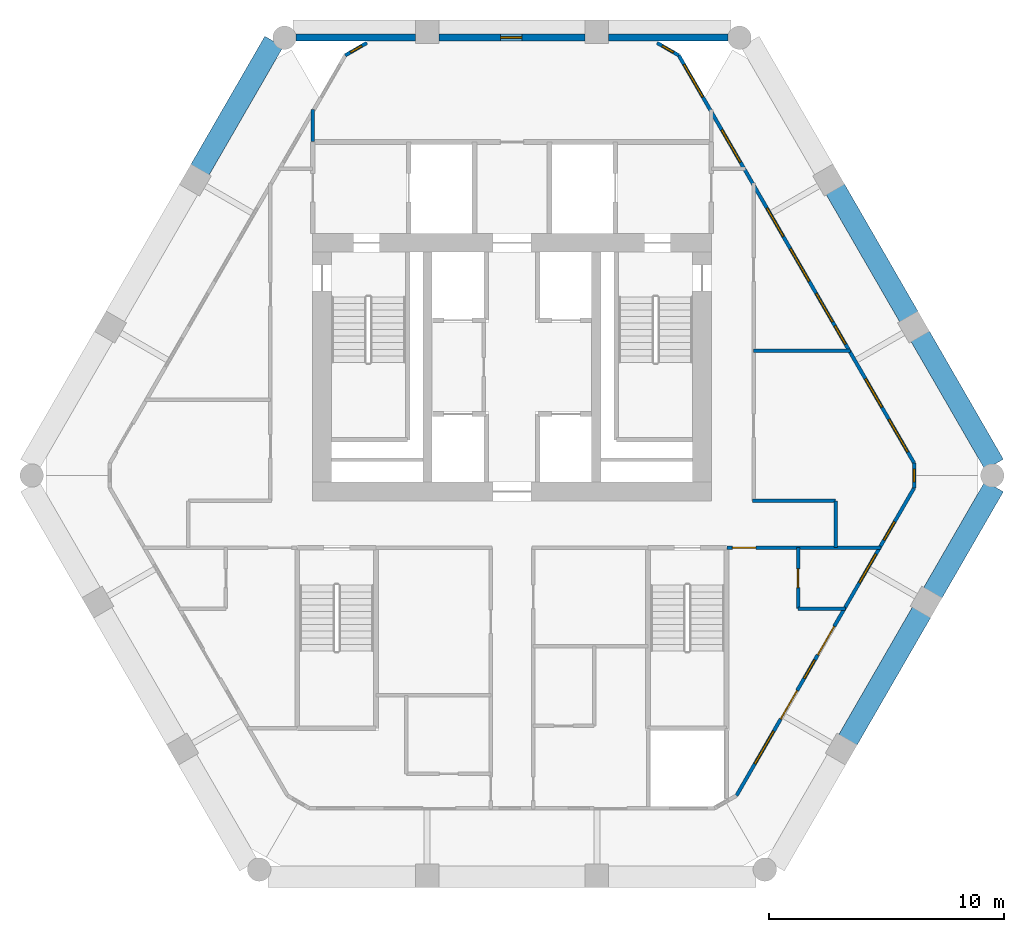
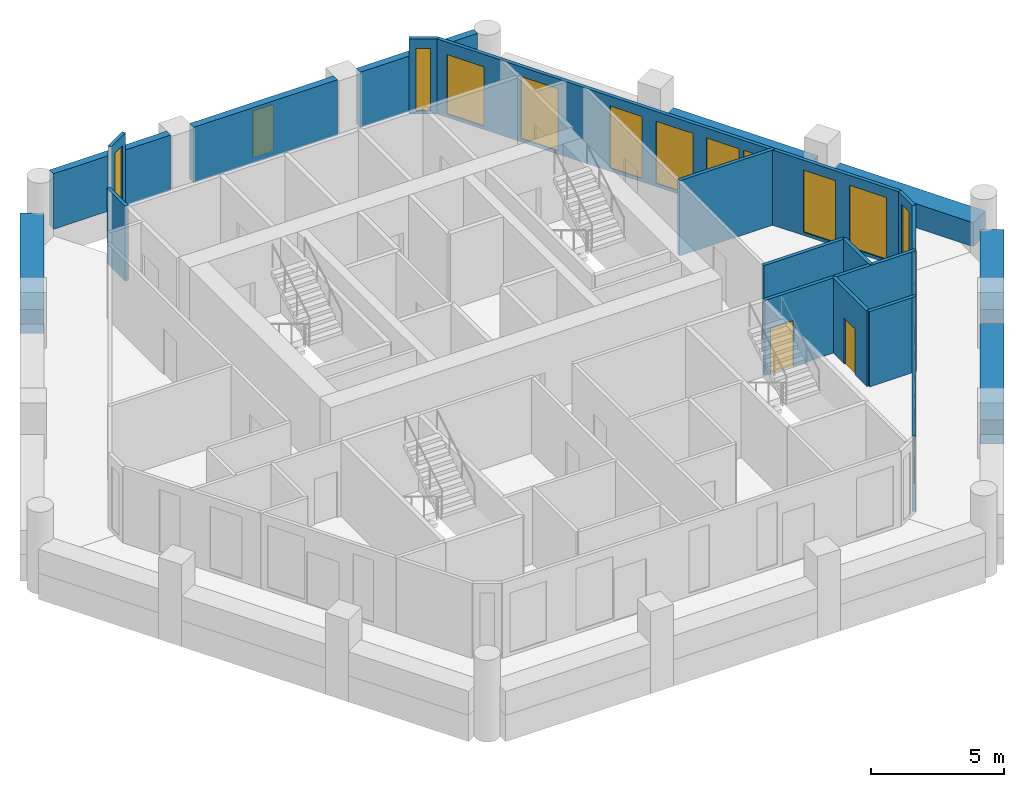
# One storey, part 5 of 7: 20 walls, 16 windows, 4 doors, 20 openings.
"""IFC4 building model written with IfcOpenShell, lengths in metres."""

from ifc_helpers import new_model, si_unit, direction, frame, frame_2d, origin, place, context, subcontext, project, spatial, rectangle, extrude, material, layer, layer_set, type_object, element, fill, save


model = new_model("IFC4")

# Units and contexts
model_context = context("Model", 3, precision=1e-05, world=origin(), true_north=direction((0.0, 1.0)))
body_context = subcontext(model_context, "Body", "Model", "MODEL_VIEW")
ifc_project = project(units=[si_unit("LENGTHUNIT", "METRE"), si_unit("AREAUNIT", "SQUARE_METRE"), si_unit("VOLUMEUNIT", "CUBIC_METRE"), si_unit("PLANEANGLEUNIT", "RADIAN"), si_unit("MASSUNIT", "GRAM", prefix="KILO")], contexts=[model_context])

# Site, building, storey
site_placement = place(None, origin())
site = spatial("IfcSite", under=ifc_project, at=site_placement, CompositionType="ELEMENT")
building_placement = place(site_placement, origin())
building = spatial("IfcBuilding", under=site, at=building_placement, Name="Ostrander Bayou Hotel Tower", CompositionType="ELEMENT")
storey_placement = place(building_placement, frame((0.0, 0.0, 183.25)))
storey = spatial("IfcBuildingStorey", under=building, at=storey_placement, Name="L45", CompositionType="ELEMENT", Elevation=183.25)

# Wall, openings, doors, windows
ifc_material_1 = material(Name="Aluminium framed insulated wall", Category="aluminium")
ifc_layer_1 = layer(ifc_material_1, 0.14990234375)
ifc_layer_set_1 = layer_set([ifc_layer_1], Name="GW1 glass-line wall 150 mm")
wall_type_1 = type_object("IfcWallType", Name="GW1 glass-line wall 150 mm", PredefinedType="SOLIDWALL", material=ifc_layer_set_1)
wall_1_placement = place(storey_placement, frame((9.572021484375, -14.2705078125, 0.0), z_axis=(0.0, 0.0, 1.0), x_axis=(0.500005248668, 0.866022373443, 0.0)))
wall_1 = element("IfcWall", 1, at=wall_1_placement, inside=storey, type_object=wall_type_1, Name="GW1 L45 SE 1", PredefinedType="SOLIDWALL", context=body_context, shape_type="SweptSolid", body=[
    extrude(rectangle(XDim=15.145263671875, YDim=0.14990234375, at=frame_2d((7.57275390625, 0.0))), origin(), (0.0, 0.0, 1.0), 3.449951171875),
])
opening_1_placement = place(wall_1_placement, frame((1.57275390625, 0.0, 0.14990234375)))
opening_1 = element("IfcOpeningElement", 2, at=opening_1_placement, cuts=wall_1, Name="Opening W3", PredefinedType="OPENING", context=body_context, shape_type="SweptSolid", body=[
    extrude(rectangle(XDim=1.60009765625, YDim=2.85009765625, at=frame_2d((0.800048828125, 1.425048828125))), frame((0.0, 0.074951171875, 0.0), z_axis=(0.0, -1.0, 0.0), x_axis=(1.0, 0.0, 0.0)), (0.0, 0.0, 1.0), 0.14990234375),
])
opening_2_placement = place(wall_1_placement, frame((3.772705078125, 0.0, 0.0)))
opening_2 = element("IfcOpeningElement", 3, at=opening_2_placement, cuts=wall_1, Name="Opening T44-804", PredefinedType="OPENING", context=body_context, shape_type="SweptSolid", body=[
    extrude(rectangle(XDim=1.39990234375, YDim=2.39990234375, at=frame_2d((0.699951171875, 1.199951171875))), frame((0.0, 0.074951171875, 0.0), z_axis=(0.0, -1.0, 0.0), x_axis=(1.0, 0.0, 0.0)), (0.0, 0.0, 1.0), 0.14990234375),
])
opening_3_placement = place(wall_1_placement, frame((5.772705078125, 0.0, 0.14990234375)))
opening_3 = element("IfcOpeningElement", 4, at=opening_3_placement, cuts=wall_1, Name="Opening W17", PredefinedType="OPENING", context=body_context, shape_type="SweptSolid", body=[
    extrude(rectangle(XDim=0.89990234375, YDim=2.85009765625, at=frame_2d((0.449951171875, 1.425048828125))), frame((0.0, 0.074951171875, 0.0), z_axis=(0.0, -1.0, 0.0), x_axis=(1.0, 0.0, 0.0)), (0.0, 0.0, 1.0), 0.14990234375),
])
opening_4_placement = place(wall_1_placement, frame((6.9296875, 0.0, 0.0)))
opening_4 = element("IfcOpeningElement", 5, at=opening_4_placement, cuts=wall_1, Name="Opening T44-805", PredefinedType="OPENING", context=body_context, shape_type="SweptSolid", body=[
    extrude(rectangle(XDim=1.39990234375, YDim=2.39990234375, at=frame_2d((0.699951171875, 1.199951171875))), frame((0.0, 0.074951171875, 0.0), z_axis=(0.0, -1.0, 0.0), x_axis=(1.0, 0.0, 0.0)), (0.0, 0.0, 1.0), 0.14990234375),
])
opening_5_placement = place(wall_1_placement, frame((12.581787109375, 0.0, 0.14990234375)))
opening_5 = element("IfcOpeningElement", 6, at=opening_5_placement, cuts=wall_1, Name="Opening W17", PredefinedType="OPENING", context=body_context, shape_type="SweptSolid", body=[
    extrude(rectangle(XDim=0.89990234375, YDim=2.85009765625, at=frame_2d((0.449951171875, 1.425048828125))), frame((0.0, 0.074951171875, 0.0), z_axis=(0.0, -1.0, 0.0), x_axis=(1.0, 0.0, 0.0)), (0.0, 0.0, 1.0), 0.14990234375),
])
opening_6_placement = place(wall_1_placement, frame((10.48193359375, 0.0, 0.14990234375)))
opening_6 = element("IfcOpeningElement", 7, at=opening_6_placement, cuts=wall_1, Name="Opening W13", PredefinedType="OPENING", context=body_context, shape_type="SweptSolid", body=[
    extrude(rectangle(XDim=1.39990234375, YDim=2.85009765625, at=frame_2d((0.699951171875, 1.425048828125))), frame((0.0, 0.074951171875, 0.0), z_axis=(0.0, -1.0, 0.0), x_axis=(1.0, 0.0, 0.0)), (0.0, 0.0, 1.0), 0.14990234375),
])
ifc_material_2 = material(Name="Aluminium and clear glass", Category="aluminium")
door_type_1 = type_object("IfcDoorType", Name="SD3 sliding glass door 1400 mm, zone 3", OperationType="SLIDING_TO_LEFT", PredefinedType="DOOR", material=ifc_material_2)
door_1_placement = place(opening_2_placement, origin())
door_1 = element("IfcDoor", 8, at=door_1_placement, inside=storey, type_object=door_type_1, Name="SD3 L45 SE 1", OperationType="SLIDING_TO_LEFT", OverallHeight=2.39990234375, OverallWidth=1.39990234375, PredefinedType="DOOR", context=body_context, shape_type="SweptSolid", body=[
    extrude(rectangle(XDim=1.39990234375, YDim=2.39990234375, at=frame_2d((0.699951171875, 1.199951171875))), frame((0.0, 0.02490234375, 0.0), z_axis=(0.0, -1.0, 0.0), x_axis=(1.0, 0.0, 0.0)), (0.0, 0.0, 1.0), 0.050048828125),
])
fill(opening_2, door_1)
door_2_placement = place(opening_4_placement, origin())
door_2 = element("IfcDoor", 9, at=door_2_placement, inside=storey, type_object=door_type_1, Name="SD3 L45 SE 2", OperationType="SLIDING_TO_RIGHT", OverallHeight=2.39990234375, OverallWidth=1.39990234375, PredefinedType="DOOR", context=body_context, shape_type="SweptSolid", body=[
    extrude(rectangle(XDim=1.39990234375, YDim=2.39990234375, at=frame_2d((0.699951171875, 1.199951171875))), frame((0.0, 0.02490234375, 0.0), z_axis=(0.0, -1.0, 0.0), x_axis=(1.0, 0.0, 0.0)), (0.0, 0.0, 1.0), 0.050048828125),
])
fill(opening_4, door_2)
ifc_material_3 = material(Name="Aluminium and clear glass", Category="aluminium")
window_type_1 = type_object("IfcWindowType", Name="W13 fixed window 1400 mm, bath bay, zone 3", PartitioningType="SINGLE_PANEL", PredefinedType="WINDOW", material=ifc_material_3)
window_1_placement = place(opening_6_placement, origin())
window_1 = element("IfcWindow", 10, at=window_1_placement, inside=storey, type_object=window_type_1, Name="W13 L45 SE 3", OverallHeight=2.85009765625, OverallWidth=1.39990234375, PartitioningType="SINGLE_PANEL", PredefinedType="WINDOW", context=body_context, shape_type="SweptSolid", body=[
    extrude(rectangle(XDim=1.39990234375, YDim=2.85009765625, at=frame_2d((0.699951171875, 1.425048828125))), frame((0.0, 0.030029296875, 0.0), z_axis=(0.0, -1.0, 0.0), x_axis=(1.0, 0.0, 0.0)), (0.0, 0.0, 1.0), 0.06005859375),
])
fill(opening_6, window_1)
ifc_material_4 = material(Name="Aluminium and clear glass", Category="aluminium")
window_type_2 = type_object("IfcWindowType", Name="W17 window 900 mm, zone 3", PartitioningType="SINGLE_PANEL", PredefinedType="WINDOW", material=ifc_material_4)
window_2_placement = place(opening_3_placement, origin())
window_2 = element("IfcWindow", 11, at=window_2_placement, inside=storey, type_object=window_type_2, Name="W17 L45 SE 2", OverallHeight=2.85009765625, OverallWidth=0.89990234375, PartitioningType="SINGLE_PANEL", PredefinedType="WINDOW", context=body_context, shape_type="SweptSolid", body=[
    extrude(rectangle(XDim=0.89990234375, YDim=2.85009765625, at=frame_2d((0.449951171875, 1.425048828125))), frame((0.0, 0.030029296875, 0.0), z_axis=(0.0, -1.0, 0.0), x_axis=(1.0, 0.0, 0.0)), (0.0, 0.0, 1.0), 0.06005859375),
])
fill(opening_3, window_2)
window_3_placement = place(opening_5_placement, origin())
window_3 = element("IfcWindow", 12, at=window_3_placement, inside=storey, type_object=window_type_2, Name="W17 L45 SE 3", OverallHeight=2.85009765625, OverallWidth=0.89990234375, PartitioningType="SINGLE_PANEL", PredefinedType="WINDOW", context=body_context, shape_type="SweptSolid", body=[
    extrude(rectangle(XDim=0.89990234375, YDim=2.85009765625, at=frame_2d((0.449951171875, 1.425048828125))), frame((0.0, 0.030029296875, 0.0), z_axis=(0.0, -1.0, 0.0), x_axis=(1.0, 0.0, 0.0)), (0.0, 0.0, 1.0), 0.06005859375),
])
fill(opening_5, window_3)
ifc_material_5 = material(Name="Aluminium and clear glass", Category="aluminium")
window_type_3 = type_object("IfcWindowType", Name="W3 fixed window 1600 mm, zone 3", PartitioningType="SINGLE_PANEL", PredefinedType="WINDOW", material=ifc_material_5)
window_4_placement = place(opening_1_placement, origin())
window_4 = element("IfcWindow", 13, at=window_4_placement, inside=storey, type_object=window_type_3, Name="W3 L45 SE 1", OverallHeight=2.85009765625, OverallWidth=1.60009765625, PartitioningType="SINGLE_PANEL", PredefinedType="WINDOW", context=body_context, shape_type="SweptSolid", body=[
    extrude(rectangle(XDim=1.60009765625, YDim=2.85009765625, at=frame_2d((0.800048828125, 1.425048828125))), frame((0.0, 0.030029296875, 0.0), z_axis=(0.0, -1.0, 0.0), x_axis=(1.0, 0.0, 0.0)), (0.0, 0.0, 1.0), 0.06005859375),
])
fill(opening_1, window_4)

# Wall, openings, windows
wall_2_placement = place(storey_placement, frame((17.144775390625, -0.08935546875, 0.0), z_axis=(0.0, 0.0, 1.0), x_axis=(-0.499999728453, 0.866025560562, 0.0)))
wall_2 = element("IfcWall", 14, at=wall_2_placement, inside=storey, type_object=wall_type_1, Name="GW1 L45 NE 1", PredefinedType="SOLIDWALL", context=body_context, shape_type="SweptSolid", body=[
    extrude(rectangle(XDim=20.07080078125, YDim=0.14990234375, at=frame_2d((10.035400390625, 0.0))), origin(), (0.0, 0.0, 1.0), 3.449951171875),
])
opening_7_placement = place(wall_2_placement, frame((0.5498046875, 0.0, 0.14990234375)))
opening_7 = element("IfcOpeningElement", 15, at=opening_7_placement, cuts=wall_2, Name="Opening W3", PredefinedType="OPENING", context=body_context, shape_type="SweptSolid", body=[
    extrude(rectangle(XDim=1.60009765625, YDim=2.85009765625, at=frame_2d((0.800048828125, 1.425048828125))), frame((0.0, 0.074951171875, 0.0), z_axis=(0.0, -1.0, 0.0), x_axis=(1.0, 0.0, 0.0)), (0.0, 0.0, 1.0), 0.14990234375),
])
opening_8_placement = place(wall_2_placement, frame((2.749755859375, 0.0, 0.14990234375)))
opening_8 = element("IfcOpeningElement", 16, at=opening_8_placement, cuts=wall_2, Name="Opening W13", PredefinedType="OPENING", context=body_context, shape_type="SweptSolid", body=[
    extrude(rectangle(XDim=1.39990234375, YDim=2.85009765625, at=frame_2d((0.699951171875, 1.425048828125))), frame((0.0, 0.074951171875, 0.0), z_axis=(0.0, -1.0, 0.0), x_axis=(1.0, 0.0, 0.0)), (0.0, 0.0, 1.0), 0.14990234375),
])
opening_9_placement = place(wall_2_placement, frame((5.85400390625, 0.0, 0.14990234375)))
opening_9 = element("IfcOpeningElement", 17, at=opening_9_placement, cuts=wall_2, Name="Opening W17", PredefinedType="OPENING", context=body_context, shape_type="SweptSolid", body=[
    extrude(rectangle(XDim=0.89990234375, YDim=2.85009765625, at=frame_2d((0.449951171875, 1.425048828125))), frame((0.0, 0.074951171875, 0.0), z_axis=(0.0, -1.0, 0.0), x_axis=(1.0, 0.0, 0.0)), (0.0, 0.0, 1.0), 0.14990234375),
])
opening_10_placement = place(wall_2_placement, frame((6.94970703125, 0.0, 0.14990234375)))
opening_10 = element("IfcOpeningElement", 18, at=opening_10_placement, cuts=wall_2, Name="Opening W13", PredefinedType="OPENING", context=body_context, shape_type="SweptSolid", body=[
    extrude(rectangle(XDim=1.39990234375, YDim=2.85009765625, at=frame_2d((0.699951171875, 1.425048828125))), frame((0.0, 0.074951171875, 0.0), z_axis=(0.0, -1.0, 0.0), x_axis=(1.0, 0.0, 0.0)), (0.0, 0.0, 1.0), 0.14990234375),
])
opening_11_placement = place(wall_2_placement, frame((8.94970703125, 0.0, 0.14990234375)))
opening_11 = element("IfcOpeningElement", 19, at=opening_11_placement, cuts=wall_2, Name="Opening W3", PredefinedType="OPENING", context=body_context, shape_type="SweptSolid", body=[
    extrude(rectangle(XDim=1.60009765625, YDim=2.85009765625, at=frame_2d((0.800048828125, 1.425048828125))), frame((0.0, 0.074951171875, 0.0), z_axis=(0.0, -1.0, 0.0), x_axis=(1.0, 0.0, 0.0)), (0.0, 0.0, 1.0), 0.14990234375),
])
opening_12_placement = place(wall_2_placement, frame((11.14990234375, 0.0, 0.14990234375)))
opening_12 = element("IfcOpeningElement", 20, at=opening_12_placement, cuts=wall_2, Name="Opening W13", PredefinedType="OPENING", context=body_context, shape_type="SweptSolid", body=[
    extrude(rectangle(XDim=1.39990234375, YDim=2.85009765625, at=frame_2d((0.699951171875, 1.425048828125))), frame((0.0, 0.074951171875, 0.0), z_axis=(0.0, -1.0, 0.0), x_axis=(1.0, 0.0, 0.0)), (0.0, 0.0, 1.0), 0.14990234375),
])
opening_13_placement = place(wall_2_placement, frame((14.80322265625, 0.0, 0.14990234375)))
opening_13 = element("IfcOpeningElement", 21, at=opening_13_placement, cuts=wall_2, Name="Opening W3", PredefinedType="OPENING", context=body_context, shape_type="SweptSolid", body=[
    extrude(rectangle(XDim=1.60009765625, YDim=2.85009765625, at=frame_2d((0.800048828125, 1.425048828125))), frame((0.0, 0.074951171875, 0.0), z_axis=(0.0, -1.0, 0.0), x_axis=(1.0, 0.0, 0.0)), (0.0, 0.0, 1.0), 0.14990234375),
])
opening_14_placement = place(wall_2_placement, frame((18.019287109375, 0.0, 0.14990234375)))
opening_14 = element("IfcOpeningElement", 22, at=opening_14_placement, cuts=wall_2, Name="Opening W3", PredefinedType="OPENING", context=body_context, shape_type="SweptSolid", body=[
    extrude(rectangle(XDim=1.60009765625, YDim=2.72998046875, at=frame_2d((0.800048828125, 1.364990234375))), frame((0.0, 0.074951171875, 0.0), z_axis=(0.0, -1.0, 0.0), x_axis=(1.0, 0.0, 0.0)), (0.0, 0.0, 1.0), 0.14990234375),
])
window_5_placement = place(opening_8_placement, origin())
window_5 = element("IfcWindow", 23, at=window_5_placement, inside=storey, type_object=window_type_1, Name="W13 L45 NE 1", OverallHeight=2.85009765625, OverallWidth=1.39990234375, PartitioningType="SINGLE_PANEL", PredefinedType="WINDOW", context=body_context, shape_type="SweptSolid", body=[
    extrude(rectangle(XDim=1.39990234375, YDim=2.85009765625, at=frame_2d((0.699951171875, 1.425048828125))), frame((0.0, 0.030029296875, 0.0), z_axis=(0.0, -1.0, 0.0), x_axis=(1.0, 0.0, 0.0)), (0.0, 0.0, 1.0), 0.06005859375),
])
fill(opening_8, window_5)
window_6_placement = place(opening_10_placement, origin())
window_6 = element("IfcWindow", 24, at=window_6_placement, inside=storey, type_object=window_type_1, Name="W13 L45 NE 2", OverallHeight=2.85009765625, OverallWidth=1.39990234375, PartitioningType="SINGLE_PANEL", PredefinedType="WINDOW", context=body_context, shape_type="SweptSolid", body=[
    extrude(rectangle(XDim=1.39990234375, YDim=2.85009765625, at=frame_2d((0.699951171875, 1.425048828125))), frame((0.0, 0.030029296875, 0.0), z_axis=(0.0, -1.0, 0.0), x_axis=(1.0, 0.0, 0.0)), (0.0, 0.0, 1.0), 0.06005859375),
])
fill(opening_10, window_6)
window_7_placement = place(opening_12_placement, origin())
window_7 = element("IfcWindow", 25, at=window_7_placement, inside=storey, type_object=window_type_1, Name="W13 L45 NE 3", OverallHeight=2.85009765625, OverallWidth=1.39990234375, PartitioningType="SINGLE_PANEL", PredefinedType="WINDOW", context=body_context, shape_type="SweptSolid", body=[
    extrude(rectangle(XDim=1.39990234375, YDim=2.85009765625, at=frame_2d((0.699951171875, 1.425048828125))), frame((0.0, 0.030029296875, 0.0), z_axis=(0.0, -1.0, 0.0), x_axis=(1.0, 0.0, 0.0)), (0.0, 0.0, 1.0), 0.06005859375),
])
fill(opening_12, window_7)
window_8_placement = place(opening_9_placement, origin())
window_8 = element("IfcWindow", 26, at=window_8_placement, inside=storey, type_object=window_type_2, Name="W17 L45 NE 2", OverallHeight=2.85009765625, OverallWidth=0.89990234375, PartitioningType="SINGLE_PANEL", PredefinedType="WINDOW", context=body_context, shape_type="SweptSolid", body=[
    extrude(rectangle(XDim=0.89990234375, YDim=2.85009765625, at=frame_2d((0.449951171875, 1.425048828125))), frame((0.0, 0.030029296875, 0.0), z_axis=(0.0, -1.0, 0.0), x_axis=(1.0, 0.0, 0.0)), (0.0, 0.0, 1.0), 0.06005859375),
])
fill(opening_9, window_8)
window_9_placement = place(opening_7_placement, origin())
window_9 = element("IfcWindow", 27, at=window_9_placement, inside=storey, type_object=window_type_3, Name="W3 L45 NE 1", OverallHeight=2.85009765625, OverallWidth=1.60009765625, PartitioningType="SINGLE_PANEL", PredefinedType="WINDOW", context=body_context, shape_type="SweptSolid", body=[
    extrude(rectangle(XDim=1.60009765625, YDim=2.85009765625, at=frame_2d((0.800048828125, 1.425048828125))), frame((0.0, 0.030029296875, 0.0), z_axis=(0.0, -1.0, 0.0), x_axis=(1.0, 0.0, 0.0)), (0.0, 0.0, 1.0), 0.06005859375),
])
fill(opening_7, window_9)
window_10_placement = place(opening_11_placement, origin())
window_10 = element("IfcWindow", 28, at=window_10_placement, inside=storey, type_object=window_type_3, Name="W3 L45 NE 3", OverallHeight=2.85009765625, OverallWidth=1.60009765625, PartitioningType="SINGLE_PANEL", PredefinedType="WINDOW", context=body_context, shape_type="SweptSolid", body=[
    extrude(rectangle(XDim=1.60009765625, YDim=2.85009765625, at=frame_2d((0.800048828125, 1.425048828125))), frame((0.0, 0.030029296875, 0.0), z_axis=(0.0, -1.0, 0.0), x_axis=(1.0, 0.0, 0.0)), (0.0, 0.0, 1.0), 0.06005859375),
])
fill(opening_11, window_10)
window_11_placement = place(opening_13_placement, origin())
window_11 = element("IfcWindow", 29, at=window_11_placement, inside=storey, type_object=window_type_3, Name="W3 L45 NE 4", OverallHeight=2.85009765625, OverallWidth=1.60009765625, PartitioningType="SINGLE_PANEL", PredefinedType="WINDOW", context=body_context, shape_type="SweptSolid", body=[
    extrude(rectangle(XDim=1.60009765625, YDim=2.85009765625, at=frame_2d((0.800048828125, 1.425048828125))), frame((0.0, 0.030029296875, 0.0), z_axis=(0.0, -1.0, 0.0), x_axis=(1.0, 0.0, 0.0)), (0.0, 0.0, 1.0), 0.06005859375),
])
fill(opening_13, window_11)
window_12_placement = place(opening_14_placement, origin())
window_12 = element("IfcWindow", 30, at=window_12_placement, inside=storey, type_object=window_type_3, Name="W3 L45 NE E21", OverallHeight=2.72998046875, OverallWidth=1.60009765625, PartitioningType="SINGLE_PANEL", PredefinedType="WINDOW", context=body_context, shape_type="SweptSolid", body=[
    extrude(rectangle(XDim=1.60009765625, YDim=2.72998046875, at=frame_2d((0.800048828125, 1.364990234375))), frame((0.0, 0.030029296875, 0.0), z_axis=(0.0, -1.0, 0.0), x_axis=(1.0, 0.0, 0.0)), (0.0, 0.0, 1.0), 0.06005859375),
])
fill(opening_14, window_12)

# Wall, opening, window
wall_3_placement = place(storey_placement, frame((-6.18701171875, 17.824951171875, 0.0), z_axis=(0.0, 0.0, 1.0), x_axis=(-0.866048165231, -0.499960573946, 0.0)))
wall_3 = element("IfcWall", 31, at=wall_3_placement, inside=storey, type_object=wall_type_1, Name="GW1 L45 corner 1", PredefinedType="SOLIDWALL", context=body_context, shape_type="SweptSolid", body=[
    extrude(rectangle(XDim=1.06494140625, YDim=0.14990234375, at=frame_2d((0.532470703125, 0.0))), origin(), (0.0, 0.0, 1.0), 3.449951171875),
])
opening_15_placement = place(wall_3_placement, frame((0.257568359375, 0.0, 0.14990234375)))
opening_15 = element("IfcOpeningElement", 32, at=opening_15_placement, cuts=wall_3, Name="Opening W19", PredefinedType="OPENING", context=body_context, shape_type="SweptSolid", body=[
    extrude(rectangle(XDim=0.550048828125, YDim=2.85009765625, at=frame_2d((0.27490234375, 1.425048828125))), frame((0.0, 0.074951171875, 0.0), z_axis=(0.0, -1.0, 0.0), x_axis=(1.0, 0.0, 0.0)), (0.0, 0.0, 1.0), 0.14990234375),
])
ifc_material_6 = material(Name="Aluminium and clear glass", Category="aluminium")
window_type_4 = type_object("IfcWindowType", Name="W19 corner window 550 mm", PartitioningType="SINGLE_PANEL", PredefinedType="WINDOW", material=ifc_material_6)
window_13_placement = place(opening_15_placement, origin())
window_13 = element("IfcWindow", 33, at=window_13_placement, inside=storey, type_object=window_type_4, Name="W19 L45 corner 1", OverallHeight=2.85009765625, OverallWidth=0.550048828125, PartitioningType="SINGLE_PANEL", PredefinedType="WINDOW", context=body_context, shape_type="SweptSolid", body=[
    extrude(rectangle(XDim=0.550048828125, YDim=2.85009765625, at=frame_2d((0.27490234375, 1.425048828125))), frame((0.0, 0.030029296875, 0.0), z_axis=(0.0, -1.0, 0.0), x_axis=(1.0, 0.0, 0.0)), (0.0, 0.0, 1.0), 0.06005859375),
])
fill(opening_15, window_13)

wall_4_placement = place(storey_placement, frame((17.144775390625, -1.154296875, 0.0), z_axis=(0.0, 0.0, 1.0), x_axis=(0.0, 1.0, 0.0)))
wall_4 = element("IfcWall", 34, at=wall_4_placement, inside=storey, type_object=wall_type_1, Name="GW1 L45 corner 5", PredefinedType="SOLIDWALL", context=body_context, shape_type="SweptSolid", body=[
    extrude(rectangle(XDim=1.06494140625, YDim=0.14990234375, at=frame_2d((0.532470703125, 0.0))), origin(), (0.0, 0.0, 1.0), 3.449951171875),
])
opening_16_placement = place(wall_4_placement, frame((0.257568359375, 0.0, 0.14990234375)))
opening_16 = element("IfcOpeningElement", 35, at=opening_16_placement, cuts=wall_4, Name="Opening W19", PredefinedType="OPENING", context=body_context, shape_type="SweptSolid", body=[
    extrude(rectangle(XDim=0.550048828125, YDim=2.85009765625, at=frame_2d((0.27490234375, 1.425048828125))), frame((0.0, 0.074951171875, 0.0), z_axis=(0.0, -1.0, 0.0), x_axis=(1.0, 0.0, 0.0)), (0.0, 0.0, 1.0), 0.14990234375),
])
window_14_placement = place(opening_16_placement, origin())
window_14 = element("IfcWindow", 36, at=window_14_placement, inside=storey, type_object=window_type_4, Name="W19 L45 corner 5", OverallHeight=2.85009765625, OverallWidth=0.550048828125, PartitioningType="SINGLE_PANEL", PredefinedType="WINDOW", context=body_context, shape_type="SweptSolid", body=[
    extrude(rectangle(XDim=0.550048828125, YDim=2.85009765625, at=frame_2d((0.27490234375, 1.425048828125))), frame((0.0, 0.030029296875, 0.0), z_axis=(0.0, -1.0, 0.0), x_axis=(1.0, 0.0, 0.0)), (0.0, 0.0, 1.0), 0.06005859375),
])
fill(opening_16, window_14)

wall_5_placement = place(storey_placement, frame((7.109375, 17.29248046875, 0.0), z_axis=(0.0, 0.0, 1.0), x_axis=(-0.866048165231, 0.499960573946, 0.0)))
wall_5 = element("IfcWall", 37, at=wall_5_placement, inside=storey, type_object=wall_type_1, Name="GW1 L45 corner 6", PredefinedType="SOLIDWALL", context=body_context, shape_type="SweptSolid", body=[
    extrude(rectangle(XDim=1.06494140625, YDim=0.14990234375, at=frame_2d((0.532470703125, 0.0))), origin(), (0.0, 0.0, 1.0), 3.449951171875),
])
opening_17_placement = place(wall_5_placement, frame((0.257568359375, 0.0, 0.14990234375)))
opening_17 = element("IfcOpeningElement", 38, at=opening_17_placement, cuts=wall_5, Name="Opening W19", PredefinedType="OPENING", context=body_context, shape_type="SweptSolid", body=[
    extrude(rectangle(XDim=0.550048828125, YDim=2.85009765625, at=frame_2d((0.27490234375, 1.425048828125))), frame((0.0, 0.074951171875, 0.0), z_axis=(0.0, -1.0, 0.0), x_axis=(1.0, 0.0, 0.0)), (0.0, 0.0, 1.0), 0.14990234375),
])
window_15_placement = place(opening_17_placement, origin())
window_15 = element("IfcWindow", 39, at=window_15_placement, inside=storey, type_object=window_type_4, Name="W19 L45 corner 6", OverallHeight=2.85009765625, OverallWidth=0.550048828125, PartitioningType="SINGLE_PANEL", PredefinedType="WINDOW", context=body_context, shape_type="SweptSolid", body=[
    extrude(rectangle(XDim=0.550048828125, YDim=2.85009765625, at=frame_2d((0.27490234375, 1.425048828125))), frame((0.0, 0.030029296875, 0.0), z_axis=(0.0, -1.0, 0.0), x_axis=(1.0, 0.0, 0.0)), (0.0, 0.0, 1.0), 0.06005859375),
])
fill(opening_17, window_15)

# Wall
ifc_material_7 = material(Name="Reconstituted stone on masonry backing", Category="masonry")
ifc_layer_2 = layer(ifc_material_7, 0.300048828125)
ifc_layer_set_2 = layer_set([ifc_layer_2], Name="NW1 north stone wall 300 mm")
wall_type_2 = type_object("IfcWallType", Name="NW1 north stone wall 300 mm", PredefinedType="SOLIDWALL", material=ifc_layer_set_2)
wall_6_placement = place(storey_placement, frame((9.200927734375, 18.050048828125, 0.0), z_axis=(0.0, 0.0, 1.0), x_axis=(-1.0, 0.0, 0.0)))
element("IfcWall", 40, at=wall_6_placement, inside=storey, type_object=wall_type_2, Name="NW1 L45 N-1", PredefinedType="SOLIDWALL", context=body_context, shape_type="SweptSolid", body=[
    extrude(rectangle(XDim=5.082763671875, YDim=0.300048828125, at=frame_2d((2.54150390625, 0.0))), origin(), (0.0, 0.0, 1.0), 2.550048828125),
])

# Wall, opening, window
wall_7_placement = place(storey_placement, frame((3.1181640625, 18.050048828125, 0.0), z_axis=(0.0, 0.0, 1.0), x_axis=(-1.0, 0.0, 0.0)))
wall_7 = element("IfcWall", 41, at=wall_7_placement, inside=storey, type_object=wall_type_2, Name="NW1 L45 N-2", PredefinedType="SOLIDWALL", context=body_context, shape_type="SweptSolid", body=[
    extrude(rectangle(XDim=6.236328125, YDim=0.300048828125, at=frame_2d((3.1181640625, 0.0))), origin(), (0.0, 0.0, 1.0), 2.550048828125),
])
opening_18_placement = place(wall_7_placement, frame((2.699951171875, 0.0, 0.14990234375)))
opening_18 = element("IfcOpeningElement", 42, at=opening_18_placement, cuts=wall_7, Name="Opening W17", PredefinedType="OPENING", context=body_context, shape_type="SweptSolid", body=[
    extrude(rectangle(XDim=0.89990234375, YDim=2.14990234375, at=frame_2d((0.449951171875, 1.074951171875))), frame((0.0, 0.14990234375, 0.0), z_axis=(0.0, -1.0, 0.0), x_axis=(1.0, 0.0, 0.0)), (0.0, 0.0, 1.0), 0.300048828125),
])
window_16_placement = place(opening_18_placement, origin())
window_16 = element("IfcWindow", 43, at=window_16_placement, inside=storey, type_object=window_type_2, Name="W17 L45 north N-2", OverallHeight=2.14990234375, OverallWidth=0.89990234375, PartitioningType="SINGLE_PANEL", PredefinedType="WINDOW", context=body_context, shape_type="SweptSolid", body=[
    extrude(rectangle(XDim=0.89990234375, YDim=2.14990234375, at=frame_2d((0.449951171875, 1.074951171875))), frame((0.0, 0.030029296875, 0.0), z_axis=(0.0, -1.0, 0.0), x_axis=(1.0, 0.0, 0.0)), (0.0, 0.0, 1.0), 0.06005859375),
])
fill(opening_18, window_16)

# Walls
wall_8_placement = place(storey_placement, frame((-4.1181640625, 18.050048828125, 0.0), z_axis=(0.0, 0.0, 1.0), x_axis=(-1.0, 0.0, 0.0)))
element("IfcWall", 44, at=wall_8_placement, inside=storey, type_object=wall_type_2, Name="NW1 L45 N-3", PredefinedType="SOLIDWALL", context=body_context, shape_type="SweptSolid", body=[
    extrude(rectangle(XDim=5.082763671875, YDim=0.300048828125, at=frame_2d((2.54150390625, 0.0))), origin(), (0.0, 0.0, 1.0), 2.550048828125),
])
ifc_material_8 = material(Name="Concrete f'c 40 MPa", Category="concrete")
ifc_layer_3 = layer(ifc_material_8, 0.89990234375)
ifc_layer_set_3 = layer_set([ifc_layer_3], Name="PA1 stone-faced parapet 900 mm")
wall_type_3 = type_object("IfcWallType", Name="PA1 stone-faced parapet 900 mm", PredefinedType="PARAPET", material=ifc_layer_set_3)
wall_9_placement = place(storey_placement, frame((-10.1474609375, 17.88037109375, 0.0), z_axis=(0.0, 0.0, 1.0), x_axis=(-0.500000968981, -0.866024844342, 0.0)))
element("IfcWall", 45, at=wall_9_placement, inside=storey, type_object=wall_type_3, Name="PA1 L45 NW-1", PredefinedType="PARAPET", context=body_context, shape_type="SweptSolid", body=[
    extrude(rectangle(XDim=6.3232421875, YDim=0.89990234375, at=frame_2d((3.16162109375, 0.0))), origin(), (0.0, 0.0, 1.0), 1.10009765625),
])
wall_10_placement = place(storey_placement, frame((20.55859375, -0.152099609375, 0.0), z_axis=(0.0, 0.0, 1.0), x_axis=(-0.500017688138, 0.866015191293, 0.0)))
element("IfcWall", 46, at=wall_10_placement, inside=storey, type_object=wall_type_3, Name="PA1 L45 NE-1", PredefinedType="PARAPET", context=body_context, shape_type="SweptSolid", body=[
    extrude(rectangle(XDim=6.322998046875, YDim=0.89990234375, at=frame_2d((3.16162109375, 0.0))), origin(), (0.0, 0.0, 1.0), 1.10009765625),
])
wall_11_placement = place(storey_placement, frame((16.927001953125, 6.1376953125, 0.0), z_axis=(0.0, 0.0, 1.0), x_axis=(-0.499984268907, 0.866034485945, 0.0)))
element("IfcWall", 47, at=wall_11_placement, inside=storey, type_object=wall_type_3, Name="PA1 L45 NE-2", PredefinedType="PARAPET", context=body_context, shape_type="SweptSolid", body=[
    extrude(rectangle(XDim=6.296142578125, YDim=0.89990234375, at=frame_2d((3.14794921875, 0.0))), origin(), (0.0, 0.0, 1.0), 1.10009765625),
])
ifc_material_9 = material(Name="Limestone masonry", Category="masonry")
ifc_layer_4 = layer(ifc_material_9, 0.89990234375)
ifc_layer_set_4 = layer_set([ifc_layer_4], Name="PA2 limestone parapet 900 mm")
wall_type_4 = type_object("IfcWallType", Name="PA2 limestone parapet 900 mm", PredefinedType="PARAPET", material=ifc_layer_set_4)
wall_12_placement = place(storey_placement, frame((14.3173828125, -11.9013671875, 0.0), z_axis=(0.0, 0.0, 1.0), x_axis=(0.500013351051, 0.866017695414, 0.0)))
element("IfcWall", 48, at=wall_12_placement, inside=storey, type_object=wall_type_4, Name="PA2 L45 SE-2", PredefinedType="PARAPET", context=body_context, shape_type="SweptSolid", body=[
    extrude(rectangle(XDim=6.296142578125, YDim=0.89990234375, at=frame_2d((3.14794921875, 0.0))), origin(), (0.0, 0.0, 1.0), 1.10009765625),
])
wall_13_placement = place(storey_placement, frame((17.935546875, -5.634521484375, 0.0), z_axis=(0.0, 0.0, 1.0), x_axis=(0.500023253097, 0.866011978186, 0.0)))
element("IfcWall", 49, at=wall_13_placement, inside=storey, type_object=wall_type_4, Name="PA2 L45 SE-3", PredefinedType="PARAPET", context=body_context, shape_type="SweptSolid", body=[
    extrude(rectangle(XDim=5.245849609375, YDim=0.89990234375, at=frame_2d((2.623046875, 0.0))), origin(), (0.0, 0.0, 1.0), 1.10009765625),
])
ifc_material_10 = material(Name="Gypsum board partition", Category="finish")
ifc_layer_5 = layer(ifc_material_10, 0.14990234375)
ifc_layer_set_5 = layer_set([ifc_layer_5], Name="PT8 service band wall 150 mm, 1 hour")
wall_type_5 = type_object("IfcWallType", Name="PT8 service band wall 150 mm, 1 hour", PredefinedType="PARTITIONING", material=ifc_layer_set_5)
wall_14_placement = place(storey_placement, frame((12.195068359375, -6.300048828125, 0.0), z_axis=(0.0, 0.0, 1.0), x_axis=(1.0, 0.0, 0.0)))
element("IfcWall", 50, at=wall_14_placement, inside=storey, type_object=wall_type_5, Name="gw:L45:007", PredefinedType="PARTITIONING", context=body_context, shape_type="SweptSolid", body=[
    extrude(rectangle(XDim=2.031005859375, YDim=0.14990234375, at=frame_2d((1.015625, 0.0))), origin(), (0.0, 0.0, 1.0), 3.449951171875),
])

# Wall, opening, door
wall_15_placement = place(storey_placement, frame((9.159912109375, -3.699951171875, 0.0), z_axis=(0.0, 0.0, 1.0), x_axis=(1.0, 0.0, 0.0)))
wall_15 = element("IfcWall", 51, at=wall_15_placement, inside=storey, type_object=wall_type_5, Name="gw:L45:011", PredefinedType="PARTITIONING", context=body_context, shape_type="SweptSolid", body=[
    extrude(rectangle(XDim=6.567138671875, YDim=0.14990234375, at=frame_2d((3.28369140625, 0.0))), origin(), (0.0, 0.0, 1.0), 3.449951171875),
])
opening_19_placement = place(wall_15_placement, frame((0.239990234375, 0.0, 0.0)))
opening_19 = element("IfcOpeningElement", 52, at=opening_19_placement, cuts=wall_15, Name="Opening T44-408", PredefinedType="OPENING", context=body_context, shape_type="SweptSolid", body=[
    extrude(rectangle(XDim=1.0, YDim=2.10009765625, at=frame_2d((0.5, 1.050048828125))), frame((0.0, 0.074951171875, 0.0), z_axis=(0.0, -1.0, 0.0), x_axis=(1.0, 0.0, 0.0)), (0.0, 0.0, 1.0), 0.14990234375),
])
ifc_material_11 = material(Name="Timber door leaf", Category="wood")
door_type_2 = type_object("IfcDoorType", Name="D1 guest room door 1000 x 2100 mm, 30 minute", OperationType="SINGLE_SWING_LEFT", PredefinedType="DOOR", material=ifc_material_11)
door_3_placement = place(opening_19_placement, origin())
door_3 = element("IfcDoor", 53, at=door_3_placement, inside=storey, type_object=door_type_2, Name="dr:L45:408", OperationType="SINGLE_SWING_LEFT", OverallHeight=2.10009765625, OverallWidth=1.0, PredefinedType="DOOR", context=body_context, shape_type="SweptSolid", body=[
    extrude(rectangle(XDim=1.0, YDim=2.10009765625, at=frame_2d((0.5, 1.050048828125))), frame((0.0, 0.02490234375, 0.0), z_axis=(0.0, -1.0, 0.0), x_axis=(1.0, 0.0, 0.0)), (0.0, 0.0, 1.0), 0.050048828125),
])
fill(opening_19, door_3)

# Walls
wall_16_placement = place(storey_placement, frame((10.260009765625, -1.699951171875, 0.0), z_axis=(0.0, 0.0, 1.0), x_axis=(1.0, 0.0, 0.0)))
element("IfcWall", 54, at=wall_16_placement, inside=storey, type_object=wall_type_5, Name="gw:L45:013", PredefinedType="PARTITIONING", context=body_context, shape_type="SweptSolid", body=[
    extrude(rectangle(XDim=3.5400390625, YDim=0.14990234375, at=frame_2d((1.77001953125, 0.0))), origin(), (0.0, 0.0, 1.0), 3.449951171875),
])
wall_17_placement = place(storey_placement, frame((10.300048828125, 4.699951171875, 0.0), z_axis=(0.0, 0.0, 1.0), x_axis=(1.0, 0.0, 0.0)))
element("IfcWall", 55, at=wall_17_placement, inside=storey, type_object=wall_type_5, Name="gw:L45:015", PredefinedType="PARTITIONING", context=body_context, shape_type="SweptSolid", body=[
    extrude(rectangle(XDim=4.1318359375, YDim=0.14990234375, at=frame_2d((2.06591796875, 0.0))), origin(), (0.0, 0.0, 1.0), 3.449951171875),
])
wall_18_placement = place(storey_placement, frame((13.800048828125, -3.699951171875, 0.0), z_axis=(0.0, 0.0, 1.0), x_axis=(0.0, 1.0, 0.0)))
element("IfcWall", 56, at=wall_18_placement, inside=storey, type_object=wall_type_5, Name="gw:L45:018", PredefinedType="PARTITIONING", context=body_context, shape_type="SweptSolid", body=[
    extrude(rectangle(XDim=2.0, YDim=0.14990234375, at=frame_2d((1.0, 0.0))), origin(), (0.0, 0.0, 1.0), 3.449951171875),
])

# Wall, opening, door
wall_19_placement = place(storey_placement, frame((12.195068359375, -6.300048828125, 0.0), z_axis=(0.0, 0.0, 1.0), x_axis=(0.0, 1.0, 0.0)))
wall_19 = element("IfcWall", 57, at=wall_19_placement, inside=storey, type_object=wall_type_5, Name="gw:L45:019", PredefinedType="PARTITIONING", context=body_context, shape_type="SweptSolid", body=[
    extrude(rectangle(XDim=2.60009765625, YDim=0.14990234375, at=frame_2d((1.300048828125, 0.0))), origin(), (0.0, 0.0, 1.0), 3.449951171875),
])
opening_20_placement = place(wall_19_placement, frame((0.89990234375, 0.0, 0.0)))
opening_20 = element("IfcOpeningElement", 58, at=opening_20_placement, cuts=wall_19, Name="Opening T44-409", PredefinedType="OPENING", context=body_context, shape_type="SweptSolid", body=[
    extrude(rectangle(XDim=0.800048828125, YDim=2.10009765625, at=frame_2d((0.39990234375, 1.050048828125))), frame((0.0, 0.074951171875, 0.0), z_axis=(0.0, -1.0, 0.0), x_axis=(1.0, 0.0, 0.0)), (0.0, 0.0, 1.0), 0.14990234375),
])
ifc_material_12 = material(Name="Timber door leaf", Category="wood")
door_type_3 = type_object("IfcDoorType", Name="D2 bathroom door 800 x 2100 mm", OperationType="SINGLE_SWING_LEFT", PredefinedType="DOOR", material=ifc_material_12)
door_4_placement = place(opening_20_placement, origin())
door_4 = element("IfcDoor", 59, at=door_4_placement, inside=storey, type_object=door_type_3, Name="dr:L45:409", OperationType="SINGLE_SWING_RIGHT", OverallHeight=2.10009765625, OverallWidth=0.800048828125, PredefinedType="DOOR", context=body_context, shape_type="SweptSolid", body=[
    extrude(rectangle(XDim=0.800048828125, YDim=2.10009765625, at=frame_2d((0.39990234375, 1.050048828125))), frame((0.0, 0.02490234375, 0.0), z_axis=(0.0, -1.0, 0.0), x_axis=(1.0, 0.0, 0.0)), (0.0, 0.0, 1.0), 0.050048828125),
])
fill(opening_20, door_4)

# Wall
wall_20_placement = place(storey_placement, frame((-8.5, 13.610107421875, 0.0), z_axis=(0.0, 0.0, 1.0), x_axis=(0.0, 1.0, 0.0)))
element("IfcWall", 60, at=wall_20_placement, inside=storey, type_object=wall_type_5, Name="gw:L45:028", PredefinedType="PARTITIONING", context=body_context, shape_type="SweptSolid", body=[
    extrude(rectangle(XDim=1.364013671875, YDim=0.14990234375, at=frame_2d((0.68212890625, 0.0))), origin(), (0.0, 0.0, 1.0), 3.449951171875),
])

save(model, "model.ifc")
